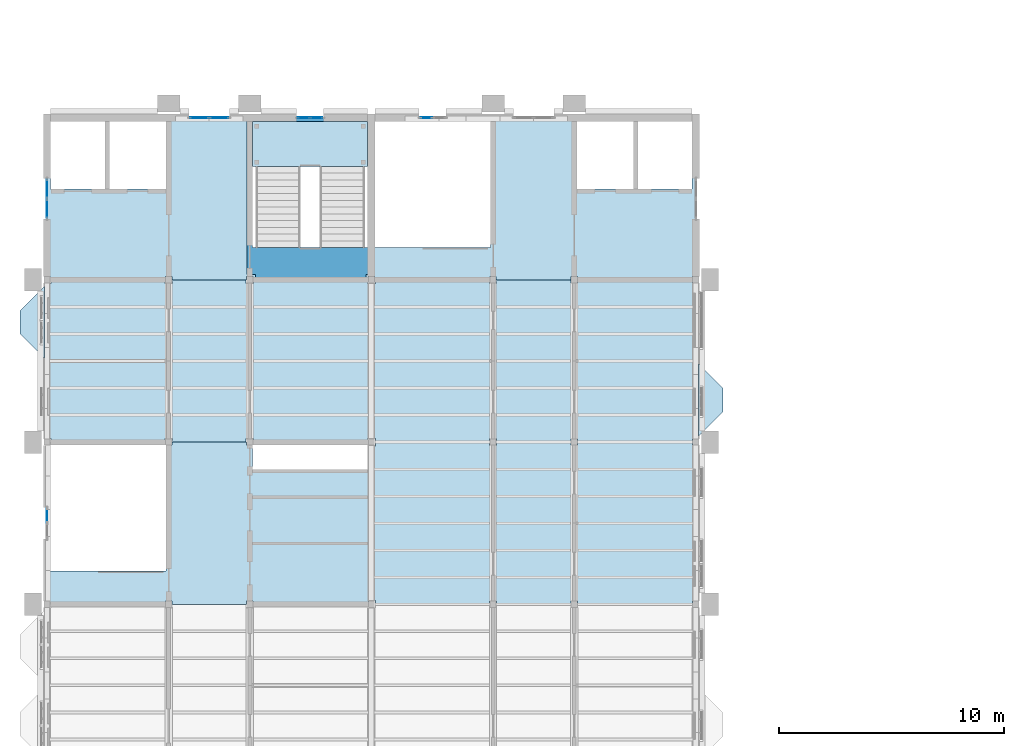
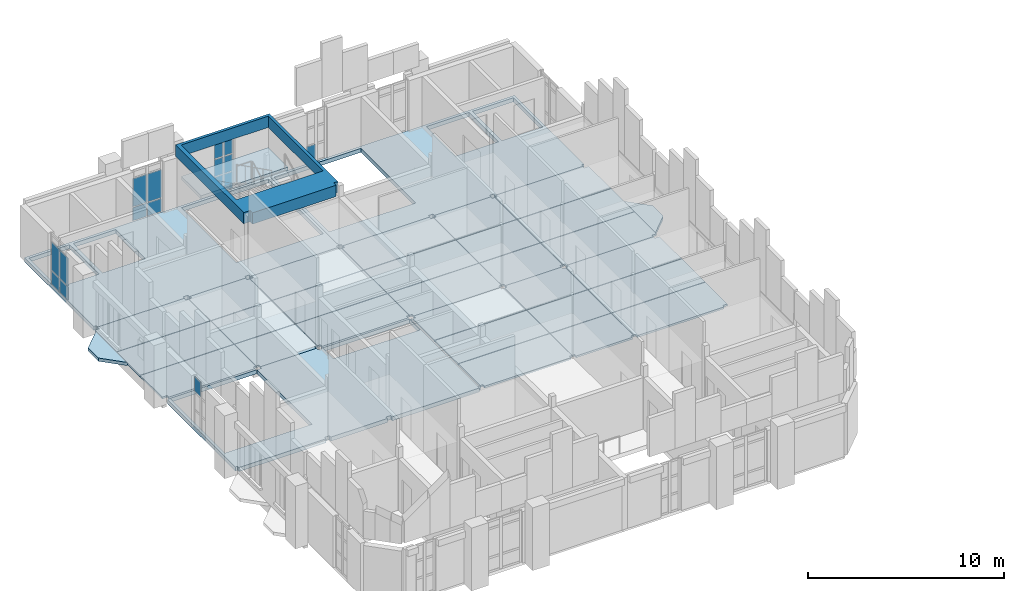
# One storey, part 21 of 51: 34 slabs, 16 plates, 6 elements without a shape of their own.
"""IFC4 building model written with IfcOpenShell, lengths in metres."""

from ifc_helpers import new_model, si_unit, direction, frame, origin, origin_2d, place, context, subcontext, project, spatial, polyline, rectangle, outline, extrude, material, layer, layer_set, type_object, element, aggregate, save


model = new_model("IFC4")

# Units and contexts
model_context = context("Model", 3, precision=1e-05, world=origin(), true_north=direction((0.0, 1.0)))
body_context = subcontext(model_context, "Body", "Model", "MODEL_VIEW")
ifc_project = project(units=[si_unit("LENGTHUNIT", "METRE"), si_unit("AREAUNIT", "SQUARE_METRE"), si_unit("VOLUMEUNIT", "CUBIC_METRE"), si_unit("PLANEANGLEUNIT", "RADIAN"), si_unit("MASSUNIT", "GRAM", prefix="KILO")], contexts=[model_context])

# Site, building, storey
site_placement = place(None, origin())
site = spatial("IfcSite", under=ifc_project, at=site_placement, CompositionType="ELEMENT")
building_placement = place(site_placement, origin())
building = spatial("IfcBuilding", under=site, at=building_placement, Name="Mazhai Court Health Centre", CompositionType="ELEMENT")
storey_placement = place(building_placement, frame((0.0, 0.0, 14.10009765625)))
storey = spatial("IfcBuildingStorey", under=building, at=storey_placement, Name="L03", CompositionType="ELEMENT", Elevation=14.10009765625)

# Slabs
ifc_material_1 = material(Name="CLT C24 5-ply", Category="wood")
ifc_layer_1 = layer(ifc_material_1, 0.1201171875)
ifc_layer_set_1 = layer_set([ifc_layer_1], Name="CLT C24 5-ply 120 floor panel")
slab_type_1 = type_object("IfcSlabType", Name="CLT C24 5-ply 120 floor panel", PredefinedType="FLOOR", material=ifc_layer_set_1)
slab_1_placement = place(storey_placement, frame((0.0, 0.0, -0.1201171875)))
element("IfcSlab", 1, at=slab_1_placement, inside=storey, type_object=slab_type_1, Name="slab-V2-L03-b3-A0", PredefinedType="FLOOR", context=body_context, shape_type="SweptSolid", body=[
    extrude(outline(polyline([(6.080078125, 30.18994140625), (6.080078125, 27.969970703125), (6.3701171875, 27.969970703125), (6.3701171875, 27.800048828125), (11.429931640625, 27.800048828125), (11.429931640625, 27.969970703125), (11.590087890625, 27.969970703125), (11.590087890625, 30.18994140625), (6.080078125, 30.18994140625)])), origin(), (0.0, 0.0, 1.0), 0.1201171875),
])
slab_2_placement = place(storey_placement, frame((0.0, 0.0, -0.1201171875)))
element("IfcSlab", 2, at=slab_2_placement, inside=storey, type_object=slab_type_1, Name="slab-V2-L03-b3-A1", PredefinedType="FLOOR", context=body_context, shape_type="SweptSolid", body=[
    extrude(outline(polyline([(6.080078125, 30.2099609375), (11.590087890625, 30.2099609375), (11.590087890625, 32.590087890625), (6.080078125, 32.590087890625), (6.080078125, 30.2099609375)])), origin(), (0.0, 0.0, 1.0), 0.1201171875),
])
slab_3_placement = place(storey_placement, frame((0.0, 0.0, -0.1201171875)))
element("IfcSlab", 3, at=slab_3_placement, inside=storey, type_object=slab_type_1, Name="slab-V2-L03-b3-A2", PredefinedType="FLOOR", context=body_context, shape_type="SweptSolid", body=[
    extrude(outline(polyline([(11.590087890625, 32.610107421875), (11.590087890625, 34.830078125), (11.429931640625, 34.830078125), (11.429931640625, 35.0), (6.3701171875, 35.0), (6.3701171875, 34.830078125), (6.080078125, 34.830078125), (6.080078125, 32.610107421875), (11.590087890625, 32.610107421875)])), origin(), (0.0, 0.0, 1.0), 0.1201171875),
])
slab_4_placement = place(storey_placement, frame((0.0, 0.0, -0.1201171875)))
element("IfcSlab", 4, at=slab_4_placement, inside=storey, type_object=slab_type_1, Name="slab-V2-L03-b3-C0", PredefinedType="FLOOR", context=body_context, shape_type="SweptSolid", body=[
    extrude(outline(polyline([(11.610107421875, 30.18994140625), (11.610107421875, 27.969970703125), (11.77001953125, 27.969970703125), (11.77001953125, 27.800048828125), (15.030029296875, 27.800048828125), (15.030029296875, 27.969970703125), (15.18994140625, 27.969970703125), (15.18994140625, 30.18994140625), (11.610107421875, 30.18994140625)])), origin(), (0.0, 0.0, 1.0), 0.1201171875),
])
slab_5_placement = place(storey_placement, frame((0.0, 0.0, -0.1201171875)))
element("IfcSlab", 5, at=slab_5_placement, inside=storey, type_object=slab_type_1, Name="slab-V2-L03-b3-C1", PredefinedType="FLOOR", context=body_context, shape_type="SweptSolid", body=[
    extrude(outline(polyline([(11.610107421875, 30.2099609375), (15.18994140625, 30.2099609375), (15.18994140625, 32.590087890625), (11.610107421875, 32.590087890625), (11.610107421875, 30.2099609375)])), origin(), (0.0, 0.0, 1.0), 0.1201171875),
])
slab_6_placement = place(storey_placement, frame((0.0, 0.0, -0.1201171875)))
element("IfcSlab", 6, at=slab_6_placement, inside=storey, type_object=slab_type_1, Name="slab-V2-L03-b3-C2", PredefinedType="FLOOR", context=body_context, shape_type="SweptSolid", body=[
    extrude(outline(polyline([(15.18994140625, 32.610107421875), (15.18994140625, 34.830078125), (15.030029296875, 34.830078125), (15.030029296875, 35.0), (11.77001953125, 35.0), (11.77001953125, 34.830078125), (11.610107421875, 34.830078125), (11.610107421875, 32.610107421875), (15.18994140625, 32.610107421875)])), origin(), (0.0, 0.0, 1.0), 0.1201171875),
])
slab_7_placement = place(storey_placement, frame((0.0, 0.0, -0.1201171875)))
element("IfcSlab", 7, at=slab_7_placement, inside=storey, type_object=slab_type_1, Name="slab-V2-L03-b3-B0", PredefinedType="FLOOR", context=body_context, shape_type="SweptSolid", body=[
    extrude(outline(polyline([(15.2099609375, 30.18994140625), (15.2099609375, 27.969970703125), (15.3701171875, 27.969970703125), (15.3701171875, 27.800048828125), (20.429931640625, 27.800048828125), (20.429931640625, 27.969970703125), (20.590087890625, 27.969970703125), (20.590087890625, 30.18994140625), (15.2099609375, 30.18994140625)])), origin(), (0.0, 0.0, 1.0), 0.1201171875),
])
slab_8_placement = place(storey_placement, frame((0.0, 0.0, -0.1201171875)))
element("IfcSlab", 8, at=slab_8_placement, inside=storey, type_object=slab_type_1, Name="slab-V2-L03-b3-B1", PredefinedType="FLOOR", context=body_context, shape_type="SweptSolid", body=[
    extrude(outline(polyline([(15.2099609375, 30.2099609375), (20.590087890625, 30.2099609375), (20.590087890625, 32.590087890625), (15.2099609375, 32.590087890625), (15.2099609375, 30.2099609375)])), origin(), (0.0, 0.0, 1.0), 0.1201171875),
])
slab_9_placement = place(storey_placement, frame((0.0, 0.0, -0.1201171875)))
element("IfcSlab", 9, at=slab_9_placement, inside=storey, type_object=slab_type_1, Name="slab-V2-L03-b3-B2", PredefinedType="FLOOR", context=body_context, shape_type="SweptSolid", body=[
    extrude(outline(polyline([(20.590087890625, 32.610107421875), (20.590087890625, 34.830078125), (20.429931640625, 34.830078125), (20.429931640625, 35.0), (15.3701171875, 35.0), (15.3701171875, 34.830078125), (15.2099609375, 34.830078125), (15.2099609375, 32.610107421875), (20.590087890625, 32.610107421875)])), origin(), (0.0, 0.0, 1.0), 0.1201171875),
])
slab_10_placement = place(storey_placement, frame((0.0, 0.0, -0.1201171875)))
element("IfcSlab", 10, at=slab_10_placement, inside=storey, type_object=slab_type_1, Name="slab-V5-L03-b2-A0", PredefinedType="FLOOR", context=body_context, shape_type="SweptSolid", body=[
    extrude(outline(polyline([(20.610107421875, 22.989990234375), (20.610107421875, 20.77001953125), (20.77001953125, 20.77001953125), (20.77001953125, 20.60009765625), (25.85009765625, 20.60009765625), (25.85009765625, 20.75), (25.989990234375, 20.75), (25.989990234375, 22.989990234375), (20.610107421875, 22.989990234375)])), origin(), (0.0, 0.0, 1.0), 0.1201171875),
])
slab_11_placement = place(storey_placement, frame((0.0, 0.0, -0.1201171875)))
element("IfcSlab", 11, at=slab_11_placement, inside=storey, type_object=slab_type_1, Name="slab-V5-L03-b2-A1", PredefinedType="FLOOR", context=body_context, shape_type="SweptSolid", body=[
    extrude(outline(polyline([(20.610107421875, 23.010009765625), (25.989990234375, 23.010009765625), (25.989990234375, 25.389892578125), (20.610107421875, 25.389892578125), (20.610107421875, 23.010009765625)])), origin(), (0.0, 0.0, 1.0), 0.1201171875),
])
slab_12_placement = place(storey_placement, frame((0.0, 0.0, -0.1201171875)))
element("IfcSlab", 12, at=slab_12_placement, inside=storey, type_object=slab_type_1, Name="slab-V5-L03-b2-A2", PredefinedType="FLOOR", context=body_context, shape_type="SweptSolid", body=[
    extrude(outline(polyline([(25.989990234375, 25.409912109375), (25.989990234375, 27.64990234375), (25.85009765625, 27.64990234375), (25.85009765625, 27.800048828125), (20.77001953125, 27.800048828125), (20.77001953125, 27.6298828125), (20.610107421875, 27.6298828125), (20.610107421875, 25.409912109375), (25.989990234375, 25.409912109375)])), origin(), (0.0, 0.0, 1.0), 0.1201171875),
])
slab_13_placement = place(storey_placement, frame((0.0, 0.0, -0.1201171875)))
element("IfcSlab", 13, at=slab_13_placement, inside=storey, type_object=slab_type_1, Name="slab-V5-L03-b2-C0", PredefinedType="FLOOR", context=body_context, shape_type="SweptSolid", body=[
    extrude(outline(polyline([(26.010009765625, 22.989990234375), (26.010009765625, 20.75), (26.14990234375, 20.75), (26.14990234375, 20.60009765625), (29.449951171875, 20.60009765625), (29.449951171875, 20.75), (29.590087890625, 20.75), (29.590087890625, 22.989990234375), (26.010009765625, 22.989990234375)])), origin(), (0.0, 0.0, 1.0), 0.1201171875),
])
slab_14_placement = place(storey_placement, frame((0.0, 0.0, -0.1201171875)))
element("IfcSlab", 14, at=slab_14_placement, inside=storey, type_object=slab_type_1, Name="slab-V5-L03-b2-C1", PredefinedType="FLOOR", context=body_context, shape_type="SweptSolid", body=[
    extrude(outline(polyline([(26.010009765625, 23.010009765625), (29.590087890625, 23.010009765625), (29.590087890625, 25.389892578125), (26.010009765625, 25.389892578125), (26.010009765625, 23.010009765625)])), origin(), (0.0, 0.0, 1.0), 0.1201171875),
])
slab_15_placement = place(storey_placement, frame((0.0, 0.0, -0.1201171875)))
element("IfcSlab", 15, at=slab_15_placement, inside=storey, type_object=slab_type_1, Name="slab-V5-L03-b2-C2", PredefinedType="FLOOR", context=body_context, shape_type="SweptSolid", body=[
    extrude(outline(polyline([(29.590087890625, 25.409912109375), (29.590087890625, 27.64990234375), (29.449951171875, 27.64990234375), (29.449951171875, 27.800048828125), (26.14990234375, 27.800048828125), (26.14990234375, 27.64990234375), (26.010009765625, 27.64990234375), (26.010009765625, 25.409912109375), (29.590087890625, 25.409912109375)])), origin(), (0.0, 0.0, 1.0), 0.1201171875),
])
slab_16_placement = place(storey_placement, frame((0.0, 0.0, -0.1201171875)))
element("IfcSlab", 16, at=slab_16_placement, inside=storey, type_object=slab_type_1, Name="slab-V5-L03-b2-B0", PredefinedType="FLOOR", context=body_context, shape_type="SweptSolid", body=[
    extrude(outline(polyline([(29.610107421875, 22.989990234375), (29.610107421875, 20.75), (29.75, 20.75), (29.75, 20.60009765625), (34.85009765625, 20.60009765625), (34.85009765625, 20.75), (35.1201171875, 20.75), (35.1201171875, 22.989990234375), (29.610107421875, 22.989990234375)])), origin(), (0.0, 0.0, 1.0), 0.1201171875),
])
slab_17_placement = place(storey_placement, frame((0.0, 0.0, -0.1201171875)))
element("IfcSlab", 17, at=slab_17_placement, inside=storey, type_object=slab_type_1, Name="slab-V5-L03-b2-B1", PredefinedType="FLOOR", context=body_context, shape_type="SweptSolid", body=[
    extrude(outline(polyline([(29.610107421875, 23.010009765625), (35.1201171875, 23.010009765625), (35.1201171875, 25.389892578125), (29.610107421875, 25.389892578125), (29.610107421875, 23.010009765625)])), origin(), (0.0, 0.0, 1.0), 0.1201171875),
])
slab_18_placement = place(storey_placement, frame((0.0, 0.0, -0.1201171875)))
element("IfcSlab", 18, at=slab_18_placement, inside=storey, type_object=slab_type_1, Name="slab-V5-L03-b2-B2", PredefinedType="FLOOR", context=body_context, shape_type="SweptSolid", body=[
    extrude(outline(polyline([(35.1201171875, 25.409912109375), (35.1201171875, 27.64990234375), (34.85009765625, 27.64990234375), (34.85009765625, 27.800048828125), (29.75, 27.800048828125), (29.75, 27.64990234375), (29.610107421875, 27.64990234375), (29.610107421875, 25.409912109375), (35.1201171875, 25.409912109375)])), origin(), (0.0, 0.0, 1.0), 0.1201171875),
])
slab_19_placement = place(storey_placement, frame((0.0, 0.0, -0.1201171875)))
element("IfcSlab", 19, at=slab_19_placement, inside=storey, type_object=slab_type_1, Name="slab-V5-L03-b3-A0", PredefinedType="FLOOR", context=body_context, shape_type="SweptSolid", body=[
    extrude(outline(polyline([(20.610107421875, 30.18994140625), (20.610107421875, 27.969970703125), (20.77001953125, 27.969970703125), (20.77001953125, 27.800048828125), (25.85009765625, 27.800048828125), (25.85009765625, 27.949951171875), (25.989990234375, 27.949951171875), (25.989990234375, 30.18994140625), (20.610107421875, 30.18994140625)])), origin(), (0.0, 0.0, 1.0), 0.1201171875),
])
slab_20_placement = place(storey_placement, frame((0.0, 0.0, -0.1201171875)))
element("IfcSlab", 20, at=slab_20_placement, inside=storey, type_object=slab_type_1, Name="slab-V5-L03-b3-A1", PredefinedType="FLOOR", context=body_context, shape_type="SweptSolid", body=[
    extrude(outline(polyline([(20.610107421875, 30.2099609375), (25.989990234375, 30.2099609375), (25.989990234375, 32.590087890625), (20.610107421875, 32.590087890625), (20.610107421875, 30.2099609375)])), origin(), (0.0, 0.0, 1.0), 0.1201171875),
])
slab_21_placement = place(storey_placement, frame((0.0, 0.0, -0.1201171875)))
element("IfcSlab", 21, at=slab_21_placement, inside=storey, type_object=slab_type_1, Name="slab-V5-L03-b3-A2", PredefinedType="FLOOR", context=body_context, shape_type="SweptSolid", body=[
    extrude(outline(polyline([(25.989990234375, 32.610107421875), (25.989990234375, 34.85009765625), (25.85009765625, 34.85009765625), (25.85009765625, 35.0), (20.77001953125, 35.0), (20.77001953125, 34.830078125), (20.610107421875, 34.830078125), (20.610107421875, 32.610107421875), (25.989990234375, 32.610107421875)])), origin(), (0.0, 0.0, 1.0), 0.1201171875),
])
slab_22_placement = place(storey_placement, frame((0.0, 0.0, -0.1201171875)))
element("IfcSlab", 22, at=slab_22_placement, inside=storey, type_object=slab_type_1, Name="slab-V5-L03-b3-C0", PredefinedType="FLOOR", context=body_context, shape_type="SweptSolid", body=[
    extrude(outline(polyline([(26.010009765625, 30.18994140625), (26.010009765625, 27.949951171875), (26.14990234375, 27.949951171875), (26.14990234375, 27.800048828125), (29.449951171875, 27.800048828125), (29.449951171875, 27.949951171875), (29.590087890625, 27.949951171875), (29.590087890625, 30.18994140625), (26.010009765625, 30.18994140625)])), origin(), (0.0, 0.0, 1.0), 0.1201171875),
])
slab_23_placement = place(storey_placement, frame((0.0, 0.0, -0.1201171875)))
element("IfcSlab", 23, at=slab_23_placement, inside=storey, type_object=slab_type_1, Name="slab-V5-L03-b3-C1", PredefinedType="FLOOR", context=body_context, shape_type="SweptSolid", body=[
    extrude(outline(polyline([(26.010009765625, 30.2099609375), (29.590087890625, 30.2099609375), (29.590087890625, 32.590087890625), (26.010009765625, 32.590087890625), (26.010009765625, 30.2099609375)])), origin(), (0.0, 0.0, 1.0), 0.1201171875),
])
slab_24_placement = place(storey_placement, frame((0.0, 0.0, -0.1201171875)))
element("IfcSlab", 24, at=slab_24_placement, inside=storey, type_object=slab_type_1, Name="slab-V5-L03-b3-C2", PredefinedType="FLOOR", context=body_context, shape_type="SweptSolid", body=[
    extrude(outline(polyline([(29.590087890625, 32.610107421875), (29.590087890625, 34.85009765625), (29.449951171875, 34.85009765625), (29.449951171875, 35.0), (26.14990234375, 35.0), (26.14990234375, 34.85009765625), (26.010009765625, 34.85009765625), (26.010009765625, 32.610107421875), (29.590087890625, 32.610107421875)])), origin(), (0.0, 0.0, 1.0), 0.1201171875),
])
slab_25_placement = place(storey_placement, frame((0.0, 0.0, -0.1201171875)))
element("IfcSlab", 25, at=slab_25_placement, inside=storey, type_object=slab_type_1, Name="slab-V5-L03-b3-B0", PredefinedType="FLOOR", context=body_context, shape_type="SweptSolid", body=[
    extrude(outline(polyline([(29.610107421875, 30.18994140625), (29.610107421875, 27.949951171875), (29.75, 27.949951171875), (29.75, 27.800048828125), (34.85009765625, 27.800048828125), (34.85009765625, 27.949951171875), (35.1201171875, 27.949951171875), (35.1201171875, 30.18994140625), (29.610107421875, 30.18994140625)])), origin(), (0.0, 0.0, 1.0), 0.1201171875),
])
slab_26_placement = place(storey_placement, frame((0.0, 0.0, -0.1201171875)))
element("IfcSlab", 26, at=slab_26_placement, inside=storey, type_object=slab_type_1, Name="slab-V5-L03-b3-B1", PredefinedType="FLOOR", context=body_context, shape_type="SweptSolid", body=[
    extrude(outline(polyline([(29.610107421875, 30.2099609375), (35.1201171875, 30.2099609375), (35.1201171875, 32.590087890625), (29.610107421875, 32.590087890625), (29.610107421875, 30.2099609375)])), origin(), (0.0, 0.0, 1.0), 0.1201171875),
])
slab_27_placement = place(storey_placement, frame((0.0, 0.0, -0.1201171875)))
element("IfcSlab", 27, at=slab_27_placement, inside=storey, type_object=slab_type_1, Name="slab-V5-L03-b3-B2", PredefinedType="FLOOR", context=body_context, shape_type="SweptSolid", body=[
    extrude(outline(polyline([(35.1201171875, 32.610107421875), (35.1201171875, 34.85009765625), (34.85009765625, 34.85009765625), (34.85009765625, 35.0), (29.75, 35.0), (29.75, 34.85009765625), (29.610107421875, 34.85009765625), (29.610107421875, 32.610107421875), (35.1201171875, 32.610107421875)])), origin(), (0.0, 0.0, 1.0), 0.1201171875),
])

# Curtain wall, plate
ifc_material_2 = material(Name="Teak timber frame, glazed", Category="wood")
ifc_layer_2 = layer(ifc_material_2, 0.10009765625)
ifc_layer_set_2 = layer_set([ifc_layer_2], Name="CURTAIN WALL TIMBER 600")
curtain_wall_type_1 = type_object("IfcCurtainWallType", Name="CURTAIN WALL TIMBER 600", PredefinedType="NOTDEFINED", material=ifc_layer_set_2)
curtain_wall_1_placement = place(storey_placement, origin())
curtain_wall_1 = element("IfcCurtainWall", 28, at=curtain_wall_1_placement, inside=storey, type_object=curtain_wall_type_1, Name="CW-V2-L03-A2", PredefinedType="NOTDEFINED")
ifc_material_3 = material(Name="Glass IGU 28 mm", Category="glass")
ifc_layer_3 = layer(ifc_material_3, 0.028076171875)
ifc_layer_set_3 = layer_set([ifc_layer_3], Name="CW PANEL IGU 28")
plate_type = type_object("IfcPlateType", Name="CW PANEL IGU 28", PredefinedType="CURTAIN_PANEL", material=ifc_layer_set_3)
plate_1_placement = place(storey_placement, frame((6.199951171875, 24.534912109375, 2.22998046875), z_axis=(0.0, 0.0, 1.0), x_axis=(0.0, 1.0, 0.0)))
plate_1 = element("IfcPlate", 29, at=plate_1_placement, type_object=plate_type, Name="CW panel 2.3", PredefinedType="CURTAIN_PANEL", context=body_context, shape_type="SweptSolid", body=[
    extrude(rectangle(XDim=0.610107421875, YDim=0.028076171875, at=origin_2d()), origin(), (0.0, 0.0, 1.0), 0.909912109375),
])
aggregate(curtain_wall_1, [plate_1])

# Curtain wall, plates
ifc_material_4 = material(Name="Teak timber frame, glazed", Category="wood")
ifc_layer_4 = layer(ifc_material_4, 0.10009765625)
ifc_layer_set_4 = layer_set([ifc_layer_4], Name="CURTAIN WALL TIMBER 900")
curtain_wall_type_2 = type_object("IfcCurtainWallType", Name="CURTAIN WALL TIMBER 900", PredefinedType="NOTDEFINED", material=ifc_layer_set_4)
curtain_wall_2_placement = place(storey_placement, origin())
curtain_wall_2 = element("IfcCurtainWall", 30, at=curtain_wall_2_placement, inside=storey, type_object=curtain_wall_type_2, Name="CW-V2-L03-A4", PredefinedType="NOTDEFINED")
plate_2_placement = place(storey_placement, frame((6.199951171875, 38.1650390625, 0.059814453125), z_axis=(0.0, 0.0, 1.0), x_axis=(0.0, 1.0, 0.0)))
plate_2 = element("IfcPlate", 31, at=plate_2_placement, type_object=plate_type, Name="CW panel 1.1", PredefinedType="CURTAIN_PANEL", context=body_context, shape_type="SweptSolid", body=[
    extrude(rectangle(XDim=0.81005859375, YDim=0.028076171875, at=origin_2d()), origin(), (0.0, 0.0, 1.0), 0.81005859375),
])
plate_3_placement = place(storey_placement, frame((6.199951171875, 38.1650390625, 0.9296875), z_axis=(0.0, 0.0, 1.0), x_axis=(0.0, 1.0, 0.0)))
plate_3 = element("IfcPlate", 32, at=plate_3_placement, type_object=plate_type, Name="CW panel 1.2", PredefinedType="CURTAIN_PANEL", context=body_context, shape_type="SweptSolid", body=[
    extrude(rectangle(XDim=0.81005859375, YDim=0.028076171875, at=origin_2d()), origin(), (0.0, 0.0, 1.0), 1.739990234375),
])
plate_4_placement = place(storey_placement, frame((6.199951171875, 39.034912109375, 0.059814453125), z_axis=(0.0, 0.0, 1.0), x_axis=(0.0, 1.0, 0.0)))
plate_4 = element("IfcPlate", 33, at=plate_4_placement, type_object=plate_type, Name="CW panel 2.1", PredefinedType="CURTAIN_PANEL", context=body_context, shape_type="SweptSolid", body=[
    extrude(rectangle(XDim=0.81005859375, YDim=0.028076171875, at=origin_2d()), origin(), (0.0, 0.0, 1.0), 0.81005859375),
])
plate_5_placement = place(storey_placement, frame((6.199951171875, 39.034912109375, 0.9296875), z_axis=(0.0, 0.0, 1.0), x_axis=(0.0, 1.0, 0.0)))
plate_5 = element("IfcPlate", 34, at=plate_5_placement, type_object=plate_type, Name="CW panel 2.2", PredefinedType="CURTAIN_PANEL", context=body_context, shape_type="SweptSolid", body=[
    extrude(rectangle(XDim=0.81005859375, YDim=0.028076171875, at=origin_2d()), origin(), (0.0, 0.0, 1.0), 1.739990234375),
])
aggregate(curtain_wall_2, [plate_2, plate_3, plate_4, plate_5])

curtain_wall_3_placement = place(storey_placement, origin())
curtain_wall_3 = element("IfcCurtainWall", 35, at=curtain_wall_3_placement, inside=storey, type_object=curtain_wall_type_2, Name="CW-V2-L03-ELIFT0", PredefinedType="NOTDEFINED")
plate_6_placement = place(storey_placement, frame((12.965087890625, 42.199951171875, 0.059814453125), z_axis=(0.0, 0.0, 1.0), x_axis=(1.0, 0.0, 0.0)))
plate_6 = element("IfcPlate", 36, at=plate_6_placement, type_object=plate_type, Name="CW panel 1.1", PredefinedType="CURTAIN_PANEL", context=body_context, shape_type="SweptSolid", body=[
    extrude(rectangle(XDim=0.81005859375, YDim=0.028076171875, at=origin_2d()), origin(), (0.0, 0.0, 1.0), 0.81005859375),
])
plate_7_placement = place(storey_placement, frame((12.965087890625, 42.199951171875, 0.9296875), z_axis=(0.0, 0.0, 1.0), x_axis=(1.0, 0.0, 0.0)))
plate_7 = element("IfcPlate", 37, at=plate_7_placement, type_object=plate_type, Name="CW panel 1.2", PredefinedType="CURTAIN_PANEL", context=body_context, shape_type="SweptSolid", body=[
    extrude(rectangle(XDim=0.81005859375, YDim=0.028076171875, at=origin_2d()), origin(), (0.0, 0.0, 1.0), 1.739990234375),
])
plate_8_placement = place(storey_placement, frame((13.8349609375, 42.199951171875, 0.059814453125), z_axis=(0.0, 0.0, 1.0), x_axis=(1.0, 0.0, 0.0)))
plate_8 = element("IfcPlate", 38, at=plate_8_placement, type_object=plate_type, Name="CW panel 2.1", PredefinedType="CURTAIN_PANEL", context=body_context, shape_type="SweptSolid", body=[
    extrude(rectangle(XDim=0.81005859375, YDim=0.028076171875, at=origin_2d()), origin(), (0.0, 0.0, 1.0), 0.81005859375),
])
plate_9_placement = place(storey_placement, frame((13.8349609375, 42.199951171875, 0.9296875), z_axis=(0.0, 0.0, 1.0), x_axis=(1.0, 0.0, 0.0)))
plate_9 = element("IfcPlate", 39, at=plate_9_placement, type_object=plate_type, Name="CW panel 2.2", PredefinedType="CURTAIN_PANEL", context=body_context, shape_type="SweptSolid", body=[
    extrude(rectangle(XDim=0.81005859375, YDim=0.028076171875, at=origin_2d()), origin(), (0.0, 0.0, 1.0), 1.739990234375),
])
aggregate(curtain_wall_3, [plate_6, plate_7, plate_8, plate_9])

curtain_wall_4_placement = place(storey_placement, origin())
curtain_wall_4 = element("IfcCurtainWall", 40, at=curtain_wall_4_placement, inside=storey, type_object=curtain_wall_type_1, Name="CW-V2-L03-ESTAIR1", PredefinedType="NOTDEFINED")
plate_10_placement = place(storey_placement, frame((17.594970703125, 42.199951171875, 0.06005859375), z_axis=(0.0, 0.0, 1.0), x_axis=(1.0, 0.0, 0.0)))
plate_10 = element("IfcPlate", 41, at=plate_10_placement, type_object=plate_type, Name="CW panel 1.1", PredefinedType="CURTAIN_PANEL", context=body_context, shape_type="SweptSolid", body=[
    extrude(rectangle(XDim=0.510009765625, YDim=0.028076171875, at=origin_2d()), origin(), (0.0, 0.0, 1.0), 1.010009765625),
])
plate_11_placement = place(storey_placement, frame((17.594970703125, 42.199951171875, 1.1298828125), z_axis=(0.0, 0.0, 1.0), x_axis=(1.0, 0.0, 0.0)))
plate_11 = element("IfcPlate", 42, at=plate_11_placement, type_object=plate_type, Name="CW panel 1.2", PredefinedType="CURTAIN_PANEL", context=body_context, shape_type="SweptSolid", body=[
    extrude(rectangle(XDim=0.510009765625, YDim=0.028076171875, at=origin_2d()), origin(), (0.0, 0.0, 1.0), 1.0400390625),
])
plate_12_placement = place(storey_placement, frame((17.594970703125, 42.199951171875, 2.22998046875), z_axis=(0.0, 0.0, 1.0), x_axis=(1.0, 0.0, 0.0)))
plate_12 = element("IfcPlate", 43, at=plate_12_placement, type_object=plate_type, Name="CW panel 1.3", PredefinedType="CURTAIN_PANEL", context=body_context, shape_type="SweptSolid", body=[
    extrude(rectangle(XDim=0.510009765625, YDim=0.028076171875, at=origin_2d()), origin(), (0.0, 0.0, 1.0), 0.909912109375),
])
plate_13_placement = place(storey_placement, frame((18.1650390625, 42.199951171875, 0.06005859375), z_axis=(0.0, 0.0, 1.0), x_axis=(1.0, 0.0, 0.0)))
plate_13 = element("IfcPlate", 44, at=plate_13_placement, type_object=plate_type, Name="CW panel 2.1", PredefinedType="CURTAIN_PANEL", context=body_context, shape_type="SweptSolid", body=[
    extrude(rectangle(XDim=0.510009765625, YDim=0.028076171875, at=origin_2d()), origin(), (0.0, 0.0, 1.0), 1.010009765625),
])
plate_14_placement = place(storey_placement, frame((18.1650390625, 42.199951171875, 1.1298828125), z_axis=(0.0, 0.0, 1.0), x_axis=(1.0, 0.0, 0.0)))
plate_14 = element("IfcPlate", 45, at=plate_14_placement, type_object=plate_type, Name="CW panel 2.2", PredefinedType="CURTAIN_PANEL", context=body_context, shape_type="SweptSolid", body=[
    extrude(rectangle(XDim=0.510009765625, YDim=0.028076171875, at=origin_2d()), origin(), (0.0, 0.0, 1.0), 1.0400390625),
])
plate_15_placement = place(storey_placement, frame((18.1650390625, 42.199951171875, 2.22998046875), z_axis=(0.0, 0.0, 1.0), x_axis=(1.0, 0.0, 0.0)))
plate_15 = element("IfcPlate", 46, at=plate_15_placement, type_object=plate_type, Name="CW panel 2.3", PredefinedType="CURTAIN_PANEL", context=body_context, shape_type="SweptSolid", body=[
    extrude(rectangle(XDim=0.510009765625, YDim=0.028076171875, at=origin_2d()), origin(), (0.0, 0.0, 1.0), 0.909912109375),
])
aggregate(curtain_wall_4, [plate_10, plate_11, plate_12, plate_13, plate_14, plate_15])

# Curtain wall, plate
curtain_wall_5_placement = place(storey_placement, origin())
curtain_wall_5 = element("IfcCurtainWall", 47, at=curtain_wall_5_placement, inside=storey, type_object=curtain_wall_type_1, Name="CW-V5-L03-ESTAIR0", PredefinedType="NOTDEFINED")
plate_16_placement = place(storey_placement, frame((23.034912109375, 42.199951171875, 0.06005859375), z_axis=(0.0, 0.0, 1.0), x_axis=(1.0, 0.0, 0.0)))
plate_16 = element("IfcPlate", 48, at=plate_16_placement, type_object=plate_type, Name="CW panel 1.1", PredefinedType="CURTAIN_PANEL", context=body_context, shape_type="SweptSolid", body=[
    extrude(rectangle(XDim=0.510009765625, YDim=0.028076171875, at=origin_2d()), origin(), (0.0, 0.0, 1.0), 1.010009765625),
])
aggregate(curtain_wall_5, [plate_16])

# Slabs
ifc_material_5 = material(Name="Concrete M30", Category="concrete")
ifc_layer_5 = layer(ifc_material_5, 0.199951171875)
ifc_layer_set_5 = layer_set([ifc_layer_5], Name="ORIEL ROOF 200")
slab_type_2 = type_object("IfcSlabType", Name="ORIEL ROOF 200", PredefinedType="ROOF", material=ifc_layer_set_5)
slab_28_placement = place(storey_placement, frame((0.0, 0.0, -0.2001953125)))
element("IfcSlab", 49, at=slab_28_placement, inside=storey, type_object=slab_type_2, Name="OR-V2-L02-A31", PredefinedType="ROOF", context=body_context, shape_type="SweptSolid", body=[
    extrude(outline(polyline([(6.080078125, 31.52001953125), (5.0, 32.60009765625), (5.0, 33.639892578125), (6.080078125, 34.719970703125), (6.080078125, 31.52001953125)])), origin(), (0.0, 0.0, 1.0), 0.2001953125),
])
slab_29_placement = place(storey_placement, frame((0.0, 0.0, -0.2001953125)))
element("IfcSlab", 50, at=slab_29_placement, inside=storey, type_object=slab_type_2, Name="OR-V5-L02-B30", PredefinedType="ROOF", context=body_context, shape_type="SweptSolid", body=[
    extrude(outline(polyline([(35.1201171875, 28.06005859375), (36.199951171875, 29.139892578125), (36.199951171875, 30.199951171875), (35.1201171875, 31.280029296875), (35.1201171875, 28.06005859375)])), origin(), (0.0, 0.0, 1.0), 0.2001953125),
])
ifc_material_6 = material(Name="Concrete M40", Category="concrete")
ifc_layer_6 = layer(ifc_material_6, 0.25)
ifc_layer_set_6 = layer_set([ifc_layer_6], Name="RC CORE FLOOR 250 M40")
slab_type_3 = type_object("IfcSlabType", Name="RC CORE FLOOR 250 M40", PredefinedType="FLOOR", material=ifc_layer_set_6)
slab_30_placement = place(storey_placement, frame((0.0, 0.0, -0.25)))
element("IfcSlab", 51, at=slab_30_placement, inside=storey, type_object=slab_type_3, Name="core-C2-floor-L03", PredefinedType="FLOOR", context=body_context, shape_type="SweptSolid", body=[
    extrude(outline(polyline([(6.340087890625, 27.800048828125), (11.4599609375, 27.800048828125), (11.4599609375, 27.675048828125), (6.364990234375, 27.675048828125), (6.364990234375, 22.076416015625), (11.47509765625, 22.076416015625), (11.47509765625, 27.659912109375), (11.739990234375, 27.659912109375), (11.739990234375, 27.800048828125), (15.06005859375, 27.800048828125), (15.06005859375, 27.659912109375), (15.324951171875, 27.659912109375), (15.324951171875, 26.574951171875), (20.43505859375, 26.574951171875), (20.43505859375, 27.675048828125), (15.340087890625, 27.675048828125), (15.340087890625, 27.800048828125), (20.4599609375, 27.800048828125), (20.4599609375, 27.659912109375), (20.60009765625, 27.659912109375), (20.60009765625, 27.639892578125), (20.47998046875, 27.639892578125), (20.47998046875, 20.760009765625), (20.60009765625, 20.760009765625), (20.60009765625, 20.739990234375), (20.4599609375, 20.739990234375), (20.4599609375, 20.60009765625), (15.340087890625, 20.60009765625), (15.340087890625, 20.739990234375), (15.06005859375, 20.739990234375), (15.06005859375, 20.60009765625), (11.739990234375, 20.60009765625), (11.739990234375, 20.739990234375), (11.4599609375, 20.739990234375), (11.4599609375, 20.60009765625), (6.340087890625, 20.60009765625), (6.340087890625, 20.739990234375), (6.199951171875, 20.739990234375), (6.199951171875, 27.659912109375), (6.340087890625, 27.659912109375), (6.340087890625, 27.800048828125)])), origin(), (0.0, 0.0, 1.0), 0.25),
])
slab_31_placement = place(storey_placement, frame((0.0, 0.0, -0.25)))
element("IfcSlab", 52, at=slab_31_placement, inside=storey, type_object=slab_type_3, Name="core-C3-floor-L03", PredefinedType="FLOOR", context=body_context, shape_type="SweptSolid", body=[
    extrude(outline(polyline([(20.60009765625, 42.199951171875), (20.60009765625, 35.139892578125), (20.4599609375, 35.139892578125), (20.4599609375, 35.0), (15.340087890625, 35.0), (15.340087890625, 35.139892578125), (15.06005859375, 35.139892578125), (15.06005859375, 35.0), (11.739990234375, 35.0), (11.739990234375, 35.139892578125), (11.4599609375, 35.139892578125), (11.4599609375, 35.0), (6.340087890625, 35.0), (6.340087890625, 35.139892578125), (6.199951171875, 35.139892578125), (6.199951171875, 42.199951171875), (20.60009765625, 42.199951171875)]), holes=[polyline([(15.324951171875, 36.4365234375), (20.43505859375, 36.4365234375), (20.43505859375, 42.034912109375), (15.324951171875, 42.034912109375), (15.324951171875, 36.4365234375)]), polyline([(8.764892578125, 42.034912109375), (6.364990234375, 42.034912109375), (6.364990234375, 39.034912109375), (8.764892578125, 39.034912109375), (8.764892578125, 42.034912109375)]), polyline([(11.47509765625, 42.034912109375), (8.965087890625, 42.034912109375), (8.965087890625, 39.034912109375), (11.47509765625, 39.034912109375), (11.47509765625, 42.034912109375)])]), origin(), (0.0, 0.0, 1.0), 0.25),
])
slab_32_placement = place(storey_placement, frame((0.0, 0.0, -0.25)))
element("IfcSlab", 53, at=slab_32_placement, inside=storey, type_object=slab_type_3, Name="core-C5-floor-L03", PredefinedType="FLOOR", context=body_context, shape_type="SweptSolid", body=[
    extrude(outline(polyline([(35.0, 42.199951171875), (35.0, 35.139892578125), (34.860107421875, 35.139892578125), (34.860107421875, 35.0), (29.739990234375, 35.0), (29.739990234375, 35.139892578125), (29.4599609375, 35.139892578125), (29.4599609375, 35.0), (26.139892578125, 35.0), (26.139892578125, 35.139892578125), (25.860107421875, 35.139892578125), (25.860107421875, 35.0), (20.739990234375, 35.0), (20.739990234375, 35.139892578125), (20.60009765625, 35.139892578125), (20.60009765625, 42.199951171875), (35.0, 42.199951171875)]), holes=[polyline([(20.764892578125, 36.4365234375), (25.875, 36.4365234375), (25.875, 42.034912109375), (20.764892578125, 42.034912109375), (20.764892578125, 36.4365234375)]), polyline([(32.235107421875, 42.034912109375), (29.72509765625, 42.034912109375), (29.72509765625, 39.034912109375), (32.235107421875, 39.034912109375), (32.235107421875, 42.034912109375)]), polyline([(34.8349609375, 42.034912109375), (32.43505859375, 42.034912109375), (32.43505859375, 39.034912109375), (34.8349609375, 39.034912109375), (34.8349609375, 42.034912109375)])]), origin(), (0.0, 0.0, 1.0), 0.25),
])
ifc_material_7 = material(Name="Concrete M40", Category="concrete")
ifc_layer_7 = layer(ifc_material_7, 0.699951171875)
ifc_layer_set_7 = layer_set([ifc_layer_7], Name="RC HEAD-HOUSE FLOOR 700 M40")
slab_type_4 = type_object("IfcSlabType", Name="RC HEAD-HOUSE FLOOR 700 M40", PredefinedType="FLOOR", material=ifc_layer_set_7)
slab_33_placement = place(storey_placement, frame((0.0, 0.0, 3.19970703125)))
element("IfcSlab", 54, at=slab_33_placement, inside=storey, type_object=slab_type_4, Name="core-C3-head-house-floor", PredefinedType="FLOOR", context=body_context, shape_type="SweptSolid", body=[
    extrude(outline(polyline([(20.60009765625, 35.25), (20.35009765625, 35.25), (20.35009765625, 35.0), (15.449951171875, 35.0), (15.449951171875, 35.25), (15.074951171875, 35.25), (15.074951171875, 42.199951171875), (20.60009765625, 42.199951171875), (20.60009765625, 35.25)]), holes=[polyline([(20.43505859375, 36.4365234375), (20.43505859375, 42.034912109375), (15.324951171875, 42.034912109375), (15.324951171875, 36.4365234375), (20.43505859375, 36.4365234375)])]), origin(), (0.0, 0.0, 1.0), 0.7001953125),
])

# Stair, slab
ifc_material_8 = material(Name="Concrete M40", Category="concrete")
stair_type = type_object("IfcStairType", Name="RC STAIR 2000 26R", PredefinedType="DOUBLE_RETURN_STAIR", material=ifc_material_8)
stair_placement = place(storey_placement, origin())
stair = element("IfcStair", 55, at=stair_placement, inside=storey, type_object=stair_type, Name="L03 Stair 3", PredefinedType="HALF_TURN_STAIR")
ifc_material_9 = material(Name="Concrete M40", Category="concrete")
ifc_layer_8 = layer(ifc_material_9, 0.199951171875)
ifc_layer_set_8 = layer_set([ifc_layer_8], Name="RC STAIR LANDING 200 M40")
slab_type_5 = type_object("IfcSlabType", Name="RC STAIR LANDING 200 M40", PredefinedType="LANDING", material=ifc_layer_set_8)
slab_34_placement = place(storey_placement, frame((0.0, 0.0, 1.75)))
slab_34 = element("IfcSlab", 56, at=slab_34_placement, type_object=slab_type_5, Name="ST3 landing 1", PredefinedType="LANDING", context=body_context, shape_type="SweptSolid", body=[
    extrude(outline(polyline([(20.43505859375, 40.034912109375), (20.43505859375, 42.034912109375), (15.324951171875, 42.034912109375), (15.324951171875, 40.034912109375), (20.43505859375, 40.034912109375)])), origin(), (0.0, 0.0, 1.0), 0.199951171875),
])
aggregate(stair, [slab_34])

save(model, "model.ifc")
